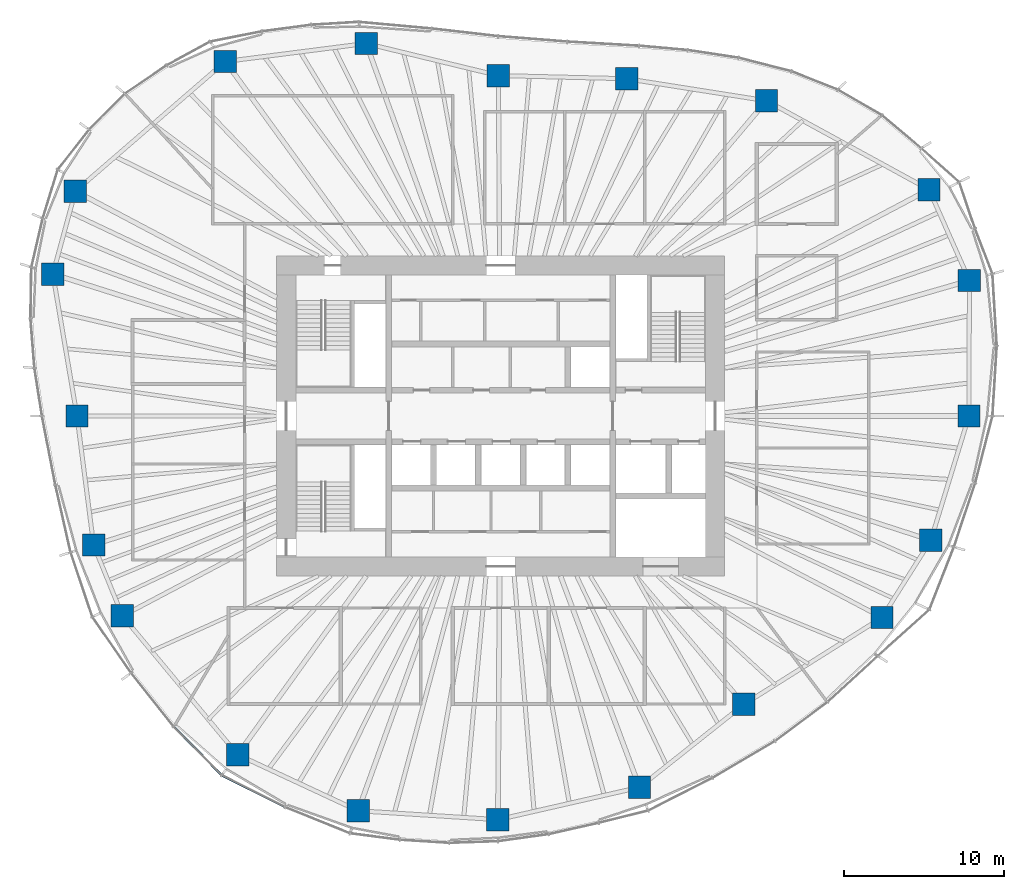
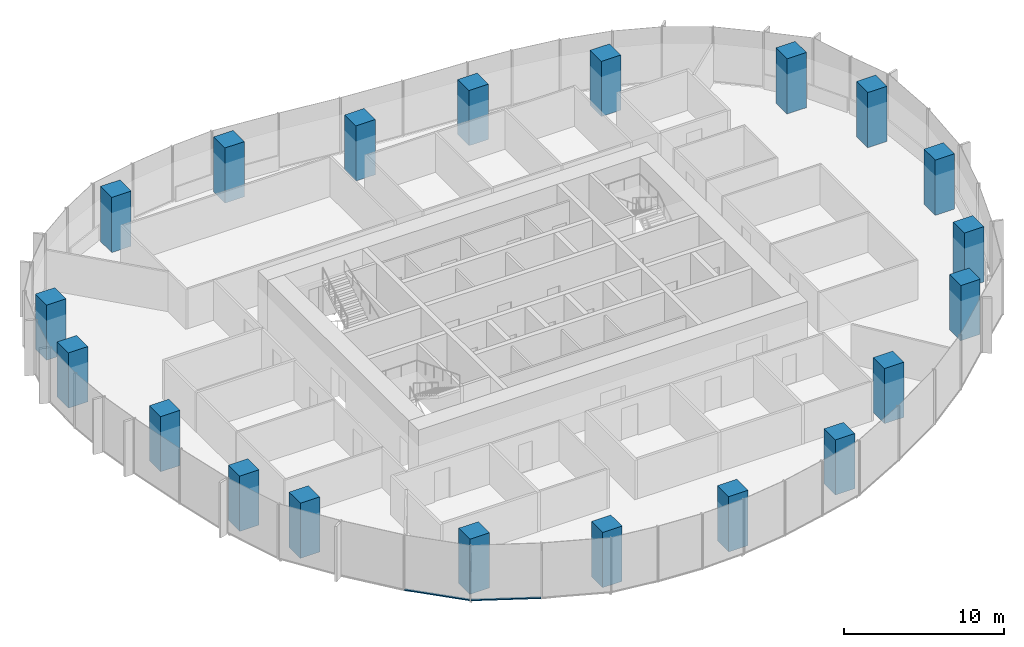
# One storey, part 1 of 18: 20 columns, 2 members, 2 elements without a shape of their own.
"""IFC4 building model written with IfcOpenShell, lengths in metres."""

from ifc_helpers import new_model, si_unit, direction, frame, origin, origin_2d, place, context, subcontext, project, spatial, rectangle, extrude, material, material_profile, profile_set, type_object, element, aggregate, save


model = new_model("IFC4")

# Units and contexts
model_context = context("Model", 3, precision=1e-05, world=origin(), true_north=direction((0.0, 1.0)))
body_context = subcontext(model_context, "Body", "Model", "MODEL_VIEW")
ifc_project = project(units=[si_unit("LENGTHUNIT", "METRE"), si_unit("AREAUNIT", "SQUARE_METRE"), si_unit("VOLUMEUNIT", "CUBIC_METRE"), si_unit("PLANEANGLEUNIT", "RADIAN"), si_unit("MASSUNIT", "GRAM", prefix="KILO")], contexts=[model_context])

# Site, building, storey
site_placement = place(None, origin())
site = spatial("IfcSite", under=ifc_project, at=site_placement, CompositionType="ELEMENT")
building_placement = place(site_placement, origin())
building = spatial("IfcBuilding", under=site, at=building_placement, Name="Ghaith Harvest Tower", CompositionType="ELEMENT")
storey_placement = place(building_placement, frame((0.0, 0.0, 151.199951171875)))
storey = spatial("IfcBuildingStorey", under=building, at=storey_placement, Name="L32", CompositionType="ELEMENT", Elevation=151.199951171875)

# Columns
ifc_material_1 = material(Name="Concrete C60/75", Category="concrete")
ifc_material_profile_1 = material_profile(ifc_material_1, rectangle(XDim=1.39990234375, YDim=1.39990234375, at=origin_2d()), Name="RC1400X1400")
ifc_profile_set_1 = profile_set([ifc_material_profile_1], Name="Concrete C60/75")
column_type = type_object("IfcColumnType", Name="TC4 RC1400X1400", PredefinedType="COLUMN", material=ifc_profile_set_1)
for number, where, z_axis, x_axis, name in (
    (1, (29.259033203125, 0.0, 0.0), (0.0, 0.0, 1.0), (1.0, 0.0, 0.0), "Perimeter column C01"),
    (2, (29.285888671875, 8.464111328125, 0.0), (0.0, 0.0, 1.0), (1.0, 0.0, 0.0), "Perimeter column C02"),
    (3, (26.763916015625, 14.14697265625, 0.0), (0.0, 0.0, 1.0), (1.0, 0.0, 0.0), "Perimeter column C03"),
    (4, (16.60791015625, 19.695068359375, 0.0), (0.0, 0.0, 1.0), (1.0, 0.0, 0.0), "Perimeter column C04"),
    (5, (7.8779296875, 21.072021484375, 0.0), (0.0, 0.0, 1.0), (1.0, 0.0, 0.0), "Perimeter column C05"),
    (6, (-0.14599609375, 21.27099609375, 0.0), (0.0, 0.0, 1.0), (1.0, 0.0, 0.0), "Perimeter column C06"),
    (7, (-8.406982421875, 23.27587890625, 0.0), (0.0, 0.0, 1.0), (1.0, 0.0, 0.0), "Perimeter column C07"),
    (8, (-17.201904296875, 22.14990234375, 0.0), (0.0, 0.0, 1.0), (1.0, 0.0, 0.0), "Perimeter column C08"),
    (9, (-26.572998046875, 14.0458984375, 0.0), (0.0, 0.0, 1.0), (1.0, 0.0, 0.0), "Perimeter column C09"),
    (10, (-27.98291015625, 8.867919921875, 0.0), (0.0, 0.0, 1.0), (1.0, 0.0, 0.0), "Perimeter column C10"),
    (11, (-26.47509765625, 0.0, 0.0), (0.0, 0.0, 1.0), (1.0, 0.0, 0.0), "Perimeter column C11"),
    (12, (-25.43603515625, -8.06103515625, 0.0), (0.0, 0.0, 1.0), (1.0, 0.0, 0.0), "Perimeter column C12"),
    (13, (-23.635009765625, -12.492919921875, 0.0), (0.0, 0.0, 1.0), (1.0, 0.0, 0.0), "Perimeter column C13"),
    (14, (-16.43701171875, -21.1640625, 0.0), (0.0, 0.0, 1.0), (1.0, 0.0, 0.0), "Perimeter column C14"),
    (15, (-8.908935546875, -24.66796875, 0.0), (0.0, 0.0, 1.0), (1.0, 0.0, 0.0), "Perimeter column C15"),
    (16, (-0.173095703125, -25.22412109375, 0.0), (0.0, 0.0, 1.0), (1.0, 0.0, 0.0), "Perimeter column C16"),
    (17, (8.674072265625, -23.202880859375, 0.0), (0.0, 0.0, 1.0), (1.0, 0.0, 0.0), "Perimeter column C17"),
    (18, (15.197998046875, -18.02294921875, 0.0), (0.0, 0.0, 1.0), (1.0, 0.0, 0.0), "Perimeter column C18"),
    (19, (23.825927734375, -12.593994140625, 0.0), (0.0, 0.0, 1.0), (1.0, 0.0, 0.0), "Perimeter column C19"),
    (20, (26.8779296875, -7.76806640625, 0.0), (0.0, 0.0, 1.0), (1.0, 0.0, 0.0), "Perimeter column C20"),
):
    element("IfcColumn", number, at=place(storey_placement, frame(where, z_axis=z_axis, x_axis=x_axis)), inside=storey, type_object=column_type, Name=name, PredefinedType="COLUMN", context=body_context, shape_type="SweptSolid", body=[
        extrude(rectangle(XDim=1.39990234375, YDim=1.39990234375, at=origin_2d()), origin(), (0.0, 0.0, 1.0), 4.199951171875),
    ])

# Curtain wall, member
ifc_material_2 = material(Name="Black anodised aluminium and fritted glass", Category="aluminium")
curtain_wall_type = type_object("IfcCurtainWallType", Name="CW-L CURTAIN WALL", PredefinedType="NOTDEFINED", material=ifc_material_2)
curtain_wall_1_placement = place(storey_placement, origin())
curtain_wall_1 = element("IfcCurtainWall", 21, at=curtain_wall_1_placement, inside=storey, type_object=curtain_wall_type, Name="Curtain wall CW-L bay 13 L32", PredefinedType="NOTDEFINED")
ifc_material_3 = material(Name="Aluminium, black anodised", Category="aluminium")
ifc_material_profile_2 = material_profile(ifc_material_3, rectangle(XDim=0.14990234375, YDim=0.080078125, at=origin_2d()), Name="CW-L TRANSOM 150x80")
ifc_profile_set_2 = profile_set([ifc_material_profile_2], Name="Aluminium, black anodised")
member_type = type_object("IfcMemberType", Name="CW-L TRANSOM 150x80", PredefinedType="USERDEFINED", material=ifc_profile_set_2)
member_1_placement = place(storey_placement, frame((-20.4130859375, -19.425048828125, 0.0400390625), z_axis=(0.702854410476, -0.711333731574, 0.0), x_axis=(0.711333731574, 0.702854410476, 0.0)))
member_1 = element("IfcMember", 22, at=member_1_placement, type_object=member_type, Name="CW-L transom 2 bay 13 L32", ObjectType="TRANSOM", PredefinedType="USERDEFINED", context=body_context, shape_type="SweptSolid", body=[
    extrude(rectangle(XDim=0.14990234375, YDim=0.080078125, at=origin_2d()), origin(), (0.0, 0.0, 1.0), 4.20361328125),
])
aggregate(curtain_wall_1, [member_1])

curtain_wall_2_placement = place(storey_placement, origin())
curtain_wall_2 = element("IfcCurtainWall", 23, at=curtain_wall_2_placement, inside=storey, type_object=curtain_wall_type, Name="Curtain wall CW-L bay 14 L32", PredefinedType="NOTDEFINED")
member_2_placement = place(storey_placement, frame((-17.394775390625, -22.461669921875, 0.0400390625), z_axis=(0.893057524502, -0.449942505138, 0.0), x_axis=(0.449942505138, 0.893057524502, 0.0)))
member_2 = element("IfcMember", 24, at=member_2_placement, type_object=member_type, Name="CW-L transom 1 bay 14 L32", ObjectType="TRANSOM", PredefinedType="USERDEFINED", context=body_context, shape_type="SweptSolid", body=[
    extrude(rectangle(XDim=0.14990234375, YDim=0.080078125, at=origin_2d()), origin(), (0.0, 0.0, 1.0), 4.362548828125),
])
aggregate(curtain_wall_2, [member_2])

save(model, "model.ifc")
